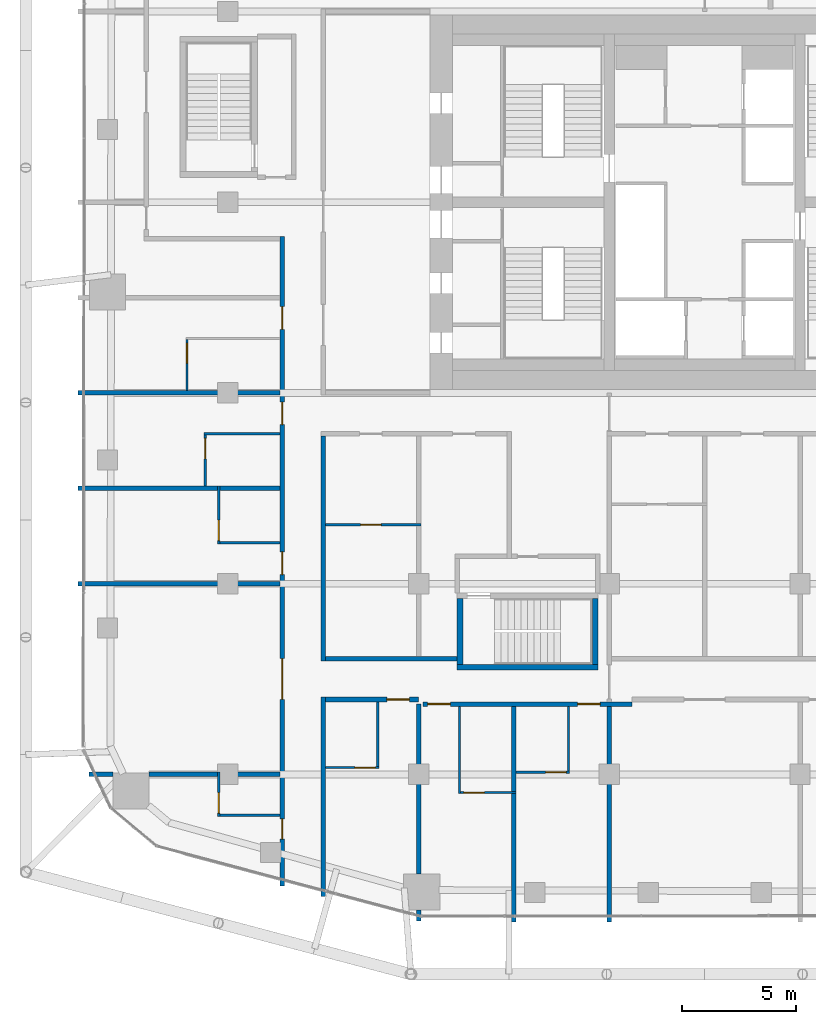
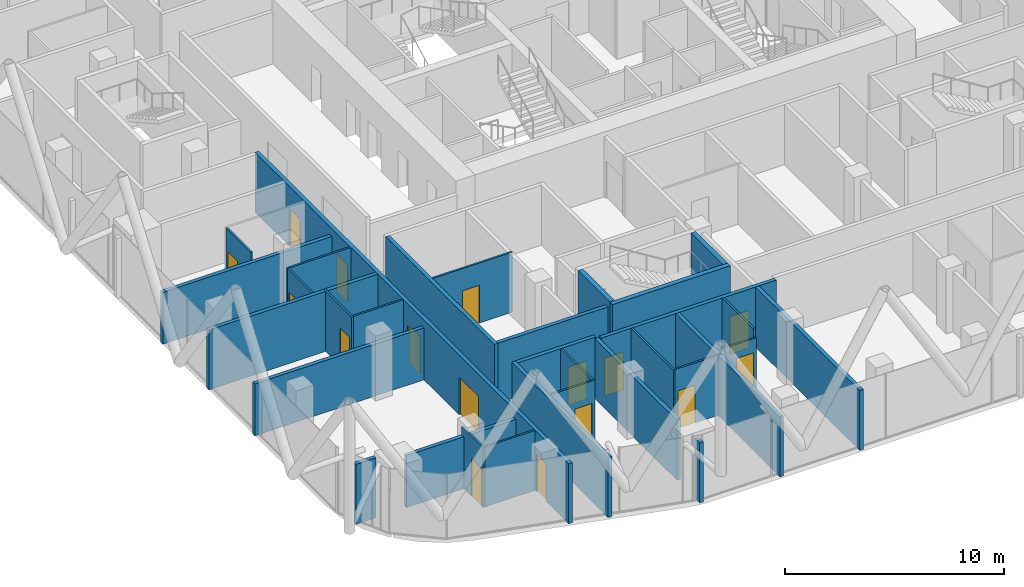
# One storey, part 27 of 36: 32 walls, 16 doors, 16 openings.
"""IFC4 building model written with IfcOpenShell, lengths in metres."""

from ifc_helpers import new_model, si_unit, direction, frame, frame_2d, origin, place, context, subcontext, project, spatial, rectangle, extrude, material, layer, layer_set, type_object, element, fill, save


model = new_model("IFC4")

# Units and contexts
model_context = context("Model", 3, precision=1e-05, world=origin(), true_north=direction((0.0, 1.0)))
body_context = subcontext(model_context, "Body", "Model", "MODEL_VIEW")
ifc_project = project(units=[si_unit("LENGTHUNIT", "METRE"), si_unit("AREAUNIT", "SQUARE_METRE"), si_unit("VOLUMEUNIT", "CUBIC_METRE"), si_unit("PLANEANGLEUNIT", "RADIAN"), si_unit("MASSUNIT", "GRAM", prefix="KILO")], contexts=[model_context])

# Site, building, storey
site_placement = place(None, origin())
site = spatial("IfcSite", under=ifc_project, at=site_placement, CompositionType="ELEMENT")
building_placement = place(site_placement, origin())
building = spatial("IfcBuilding", under=site, at=building_placement, Name="Marenta Gate Hotel Tower", CompositionType="ELEMENT")
storey_placement = place(building_placement, frame((0.0, 0.0, 115.699951171875)))
storey = spatial("IfcBuildingStorey", under=building, at=storey_placement, Name="L25", CompositionType="ELEMENT", Elevation=115.699951171875)

# Walls
ifc_material_1 = material(Name="Concrete blockwork", Category="masonry")
ifc_layer_1 = layer(ifc_material_1, 0.199951171875)
ifc_layer_set_1 = layer_set([ifc_layer_1], Name="Concrete blockwork")
wall_type_1 = type_object("IfcWallType", Name="Compartment wall 200 REI 180", PredefinedType="PARTITIONING", material=ifc_layer_set_1)
wall_1_placement = place(storey_placement, frame((-4.199951171875, -23.300048828125, 0.0), z_axis=(0.0, 0.0, 1.0), x_axis=(0.0, 1.0, 0.0)))
element("IfcWall", 1, at=wall_1_placement, inside=storey, type_object=wall_type_1, Name="L25-PTN-W070", PredefinedType="PARTITIONING", context=body_context, shape_type="SweptSolid", body=[
    extrude(rectangle(XDim=9.5, YDim=0.199951171875, at=frame_2d((4.75, 0.0))), origin(), (0.0, 0.0, 1.0), 3.340087890625),
])
ifc_material_2 = material(Name="Concrete C40", Category="concrete")
ifc_layer_2 = layer(ifc_material_2, 0.25)
ifc_layer_set_2 = layer_set([ifc_layer_2], Name="Concrete C40")
wall_type_2 = type_object("IfcWallType", Name="Remote stair enclosure wall 250 REI 180", PredefinedType="SHEAR", material=ifc_layer_set_2)
wall_2_placement = place(storey_placement, frame((-10.89990234375, -12.074951171875, 0.10009765625), z_axis=(0.0, 0.0, 1.0), x_axis=(1.0, 0.0, 0.0)))
element("IfcWall", 2, at=wall_2_placement, inside=storey, type_object=wall_type_2, Name="L25-RS-Z2-1-W1", PredefinedType="SHEAR", context=body_context, shape_type="SweptSolid", body=[
    extrude(rectangle(XDim=6.199951171875, YDim=0.25, at=frame_2d((3.10009765625, 0.0))), origin(), (0.0, 0.0, 1.0), 3.599853515625),
])
for number, where, z_axis, x_axis, name in (
    (3, (-10.77490234375, -11.949951171875, 0.10009765625), (0.0, 0.0, 1.0), (0.0, 1.0, 0.0), "L25-RS-Z2-1-W3"),
    (4, (-4.824951171875, -11.949951171875, 0.10009765625), (0.0, 0.0, 1.0), (0.0, 1.0, 0.0), "L25-RS-Z2-1-W4"),
):
    element("IfcWall", number, at=place(storey_placement, frame(where, z_axis=z_axis, x_axis=x_axis)), inside=storey, type_object=wall_type_2, Name=name, PredefinedType="SHEAR", context=body_context, shape_type="SweptSolid", body=[
        extrude(rectangle(XDim=2.89990234375, YDim=0.25, at=frame_2d((1.449951171875, 0.0))), origin(), (0.0, 0.0, 1.0), 3.599853515625),
    ])

# Wall, openings, doors
ifc_material_3 = material(Name="Gypsum board on steel stud", Category="steel")
ifc_layer_3 = layer(ifc_material_3, 0.199951171875)
ifc_layer_set_3 = layer_set([ifc_layer_3], Name="Gypsum board on steel stud")
wall_type_3 = type_object("IfcWallType", Name="Room corridor wall 200 EI 60", PredefinedType="PARTITIONING", material=ifc_layer_set_3)
wall_3_placement = place(storey_placement, frame((-12.39990234375, -13.699951171875, 0.0), z_axis=(0.0, 0.0, 1.0), x_axis=(1.0, 0.0, 0.0)))
wall_3 = element("IfcWall", 5, at=wall_3_placement, inside=storey, type_object=wall_type_3, Name="L25-PTN-W025", PredefinedType="PARTITIONING", context=body_context, shape_type="SweptSolid", body=[
    extrude(rectangle(XDim=9.199951171875, YDim=0.199951171875, at=frame_2d((4.60009765625, 0.0))), origin(), (0.0, 0.0, 1.0), 3.340087890625),
])
opening_1_placement = place(wall_3_placement, frame((0.199951171875, 0.0, 0.0)))
opening_1 = element("IfcOpeningElement", 6, at=opening_1_placement, cuts=wall_3, Name="Opening G09-43", PredefinedType="OPENING", context=body_context, shape_type="SweptSolid", body=[
    extrude(rectangle(XDim=1.0, YDim=2.10009765625, at=frame_2d((0.5, 1.050048828125))), frame((0.0, 0.10009765625, 0.0), z_axis=(0.0, -1.0, 0.0), x_axis=(1.0, 0.0, 0.0)), (0.0, 0.0, 1.0), 0.199951171875),
])
opening_2_placement = place(wall_3_placement, frame((6.800048828125, 0.0, 0.0)))
opening_2 = element("IfcOpeningElement", 7, at=opening_2_placement, cuts=wall_3, Name="Opening G09-45", PredefinedType="OPENING", context=body_context, shape_type="SweptSolid", body=[
    extrude(rectangle(XDim=1.0, YDim=2.10009765625, at=frame_2d((0.5, 1.050048828125))), frame((0.0, 0.10009765625, 0.0), z_axis=(0.0, -1.0, 0.0), x_axis=(1.0, 0.0, 0.0)), (0.0, 0.0, 1.0), 0.199951171875),
])
ifc_material_4 = material(Name="Timber door leaf", Category="wood")
door_type_1 = type_object("IfcDoorType", Name="Guest room door 1000x2100 EI 30", OperationType="NOTDEFINED", PredefinedType="DOOR", material=ifc_material_4)
door_1_placement = place(opening_1_placement, origin())
door_1 = element("IfcDoor", 8, at=door_1_placement, inside=storey, type_object=door_type_1, Name="L25-PD-D043", OperationType="SINGLE_SWING_RIGHT", OverallHeight=2.10009765625, OverallWidth=1.0, PredefinedType="DOOR", context=body_context, shape_type="SweptSolid", body=[
    extrude(rectangle(XDim=1.0, YDim=2.10009765625, at=frame_2d((0.5, 1.050048828125))), frame((0.0, 0.02490234375, 0.0), z_axis=(0.0, -1.0, 0.0), x_axis=(1.0, 0.0, 0.0)), (0.0, 0.0, 1.0), 0.050048828125),
])
fill(opening_1, door_1)
door_2_placement = place(opening_2_placement, origin())
door_2 = element("IfcDoor", 9, at=door_2_placement, inside=storey, type_object=door_type_1, Name="L25-PD-D045", OperationType="SINGLE_SWING_LEFT", OverallHeight=2.10009765625, OverallWidth=1.0, PredefinedType="DOOR", context=body_context, shape_type="SweptSolid", body=[
    extrude(rectangle(XDim=1.0, YDim=2.10009765625, at=frame_2d((0.5, 1.050048828125))), frame((0.0, 0.02490234375, 0.0), z_axis=(0.0, -1.0, 0.0), x_axis=(1.0, 0.0, 0.0)), (0.0, 0.0, 1.0), 0.050048828125),
])
fill(opening_2, door_2)

# Wall, opening, door
wall_4_placement = place(storey_placement, frame((-16.699951171875, -13.5, 0.0), z_axis=(0.0, 0.0, 1.0), x_axis=(1.0, 0.0, 0.0)))
wall_4 = element("IfcWall", 10, at=wall_4_placement, inside=storey, type_object=wall_type_3, Name="L25-PTN-W026", PredefinedType="PARTITIONING", context=body_context, shape_type="SweptSolid", body=[
    extrude(rectangle(XDim=4.099853515625, YDim=0.199951171875, at=frame_2d((2.0498046875, 0.0))), origin(), (0.0, 0.0, 1.0), 3.340087890625),
])
opening_3_placement = place(wall_4_placement, frame((2.699951171875, 0.0, 0.0)))
opening_3 = element("IfcOpeningElement", 11, at=opening_3_placement, cuts=wall_4, Name="Opening G09-41", PredefinedType="OPENING", context=body_context, shape_type="SweptSolid", body=[
    extrude(rectangle(XDim=1.0, YDim=2.10009765625, at=frame_2d((0.5, 1.050048828125))), frame((0.0, 0.10009765625, 0.0), z_axis=(0.0, -1.0, 0.0), x_axis=(1.0, 0.0, 0.0)), (0.0, 0.0, 1.0), 0.199951171875),
])
door_3_placement = place(opening_3_placement, origin())
door_3 = element("IfcDoor", 12, at=door_3_placement, inside=storey, type_object=door_type_1, Name="L25-PD-D041", OperationType="SINGLE_SWING_LEFT", OverallHeight=2.10009765625, OverallWidth=1.0, PredefinedType="DOOR", context=body_context, shape_type="SweptSolid", body=[
    extrude(rectangle(XDim=1.0, YDim=2.10009765625, at=frame_2d((0.5, 1.050048828125))), frame((0.0, 0.02490234375, 0.0), z_axis=(0.0, -1.0, 0.0), x_axis=(1.0, 0.0, 0.0)), (0.0, 0.0, 1.0), 0.050048828125),
])
fill(opening_3, door_3)

# Walls
wall_5_placement = place(storey_placement, frame((-16.699951171875, -11.699951171875, 0.0), z_axis=(0.0, 0.0, 1.0), x_axis=(1.0, 0.0, 0.0)))
element("IfcWall", 13, at=wall_5_placement, inside=storey, type_object=wall_type_3, Name="L25-PTN-W033", PredefinedType="PARTITIONING", context=body_context, shape_type="SweptSolid", body=[
    extrude(rectangle(XDim=5.800048828125, YDim=0.199951171875, at=frame_2d((2.89990234375, 0.0))), origin(), (0.0, 0.0, 1.0), 3.340087890625),
])
wall_6_placement = place(storey_placement, frame((-16.800048828125, -22.18603515625, 0.0), z_axis=(0.0, 0.0, 1.0), x_axis=(0.0, 1.0, 0.0)))
element("IfcWall", 14, at=wall_6_placement, inside=storey, type_object=wall_type_3, Name="L25-PTN-W097", PredefinedType="PARTITIONING", context=body_context, shape_type="SweptSolid", body=[
    extrude(rectangle(XDim=8.7861328125, YDim=0.199951171875, at=frame_2d((4.39306640625, 0.0))), origin(), (0.0, 0.0, 1.0), 3.340087890625),
])
wall_7_placement = place(storey_placement, frame((-16.800048828125, -11.800048828125, 0.0), z_axis=(0.0, 0.0, 1.0), x_axis=(0.0, 1.0, 0.0)))
element("IfcWall", 15, at=wall_7_placement, inside=storey, type_object=wall_type_3, Name="L25-PTN-W098", PredefinedType="PARTITIONING", context=body_context, shape_type="SweptSolid", body=[
    extrude(rectangle(XDim=9.900146484375, YDim=0.199951171875, at=frame_2d((4.9501953125, 0.0))), origin(), (0.0, 0.0, 1.0), 3.340087890625),
])

# Wall, openings, doors
wall_8_placement = place(storey_placement, frame((-18.60009765625, -21.7080078125, 0.0), z_axis=(0.0, 0.0, 1.0), x_axis=(0.0, 1.0, 0.0)))
wall_8 = element("IfcWall", 16, at=wall_8_placement, inside=storey, type_object=wall_type_3, Name="L25-PTN-W104", PredefinedType="PARTITIONING", context=body_context, shape_type="SweptSolid", body=[
    extrude(rectangle(XDim=28.60791015625, YDim=0.199951171875, at=frame_2d((14.303955078125, 0.0))), origin(), (0.0, 0.0, 1.0), 3.340087890625),
])
opening_4_placement = place(wall_8_placement, frame((2.053955078125, 0.0, 0.0)))
opening_4 = element("IfcOpeningElement", 17, at=opening_4_placement, cuts=wall_8, Name="Opening G09-54", PredefinedType="OPENING", context=body_context, shape_type="SweptSolid", body=[
    extrude(rectangle(XDim=0.89990234375, YDim=2.10009765625, at=frame_2d((0.449951171875, 1.050048828125))), frame((0.0, 0.10009765625, 0.0), z_axis=(0.0, -1.0, 0.0), x_axis=(1.0, 0.0, 0.0)), (0.0, 0.0, 1.0), 0.199951171875),
])
opening_5_placement = place(wall_8_placement, frame((8.2080078125, 0.0, 0.0)))
opening_5 = element("IfcOpeningElement", 18, at=opening_5_placement, cuts=wall_8, Name="Opening G09-56", PredefinedType="OPENING", context=body_context, shape_type="SweptSolid", body=[
    extrude(rectangle(XDim=1.800048828125, YDim=2.10009765625, at=frame_2d((0.89990234375, 1.050048828125))), frame((0.0, 0.10009765625, 0.0), z_axis=(0.0, -1.0, 0.0), x_axis=(1.0, 0.0, 0.0)), (0.0, 0.0, 1.0), 0.199951171875),
])
opening_6_placement = place(wall_8_placement, frame((13.7080078125, 0.0, 0.0)))
opening_6 = element("IfcOpeningElement", 19, at=opening_6_placement, cuts=wall_8, Name="Opening G09-57", PredefinedType="OPENING", context=body_context, shape_type="SweptSolid", body=[
    extrude(rectangle(XDim=1.0, YDim=2.10009765625, at=frame_2d((0.5, 1.050048828125))), frame((0.0, 0.10009765625, 0.0), z_axis=(0.0, -1.0, 0.0), x_axis=(1.0, 0.0, 0.0)), (0.0, 0.0, 1.0), 0.199951171875),
])
opening_7_placement = place(wall_8_placement, frame((20.30810546875, 0.0, 0.0)))
opening_7 = element("IfcOpeningElement", 20, at=opening_7_placement, cuts=wall_8, Name="Opening G09-59", PredefinedType="OPENING", context=body_context, shape_type="SweptSolid", body=[
    extrude(rectangle(XDim=1.0, YDim=2.10009765625, at=frame_2d((0.5, 1.050048828125))), frame((0.0, 0.10009765625, 0.0), z_axis=(0.0, -1.0, 0.0), x_axis=(1.0, 0.0, 0.0)), (0.0, 0.0, 1.0), 0.199951171875),
])
opening_8_placement = place(wall_8_placement, frame((24.508056640625, 0.0, 0.0)))
opening_8 = element("IfcOpeningElement", 21, at=opening_8_placement, cuts=wall_8, Name="Opening G09-61", PredefinedType="OPENING", context=body_context, shape_type="SweptSolid", body=[
    extrude(rectangle(XDim=1.0, YDim=2.10009765625, at=frame_2d((0.5, 1.050048828125))), frame((0.0, 0.10009765625, 0.0), z_axis=(0.0, -1.0, 0.0), x_axis=(1.0, 0.0, 0.0)), (0.0, 0.0, 1.0), 0.199951171875),
])
door_4_placement = place(opening_6_placement, origin())
door_4 = element("IfcDoor", 22, at=door_4_placement, inside=storey, type_object=door_type_1, Name="L25-PD-D057", OperationType="SINGLE_SWING_RIGHT", OverallHeight=2.10009765625, OverallWidth=1.0, PredefinedType="DOOR", context=body_context, shape_type="SweptSolid", body=[
    extrude(rectangle(XDim=1.0, YDim=2.10009765625, at=frame_2d((0.5, 1.050048828125))), frame((0.0, 0.02490234375, 0.0), z_axis=(0.0, -1.0, 0.0), x_axis=(1.0, 0.0, 0.0)), (0.0, 0.0, 1.0), 0.050048828125),
])
fill(opening_6, door_4)
door_5_placement = place(opening_7_placement, origin())
door_5 = element("IfcDoor", 23, at=door_5_placement, inside=storey, type_object=door_type_1, Name="L25-PD-D059", OperationType="SINGLE_SWING_RIGHT", OverallHeight=2.10009765625, OverallWidth=1.0, PredefinedType="DOOR", context=body_context, shape_type="SweptSolid", body=[
    extrude(rectangle(XDim=1.0, YDim=2.10009765625, at=frame_2d((0.5, 1.050048828125))), frame((0.0, 0.02490234375, 0.0), z_axis=(0.0, -1.0, 0.0), x_axis=(1.0, 0.0, 0.0)), (0.0, 0.0, 1.0), 0.050048828125),
])
fill(opening_7, door_5)
door_6_placement = place(opening_8_placement, origin())
door_6 = element("IfcDoor", 24, at=door_6_placement, inside=storey, type_object=door_type_1, Name="L25-PD-D061", OperationType="SINGLE_SWING_RIGHT", OverallHeight=2.10009765625, OverallWidth=1.0, PredefinedType="DOOR", context=body_context, shape_type="SweptSolid", body=[
    extrude(rectangle(XDim=1.0, YDim=2.10009765625, at=frame_2d((0.5, 1.050048828125))), frame((0.0, 0.02490234375, 0.0), z_axis=(0.0, -1.0, 0.0), x_axis=(1.0, 0.0, 0.0)), (0.0, 0.0, 1.0), 0.050048828125),
])
fill(opening_8, door_6)
ifc_material_5 = material(Name="Timber door leaf", Category="wood")
door_type_2 = type_object("IfcDoorType", Name="Guest room door 900x2100 EI 30", OperationType="NOTDEFINED", PredefinedType="DOOR", material=ifc_material_5)
door_7_placement = place(opening_4_placement, origin())
door_7 = element("IfcDoor", 25, at=door_7_placement, inside=storey, type_object=door_type_2, Name="L25-PD-D054", OperationType="SINGLE_SWING_LEFT", OverallHeight=2.10009765625, OverallWidth=0.89990234375, PredefinedType="DOOR", context=body_context, shape_type="SweptSolid", body=[
    extrude(rectangle(XDim=0.89990234375, YDim=2.10009765625, at=frame_2d((0.449951171875, 1.050048828125))), frame((0.0, 0.02490234375, 0.0), z_axis=(0.0, -1.0, 0.0), x_axis=(1.0, 0.0, 0.0)), (0.0, 0.0, 1.0), 0.050048828125),
])
fill(opening_4, door_7)
ifc_material_6 = material(Name="Timber door leaf", Category="wood")
door_type_3 = type_object("IfcDoorType", Name="Room amenity door 1800x2100 EI 30", OperationType="DOUBLE_DOOR_SINGLE_SWING", PredefinedType="DOOR", material=ifc_material_6)
door_8_placement = place(opening_5_placement, origin())
door_8 = element("IfcDoor", 26, at=door_8_placement, inside=storey, type_object=door_type_3, Name="L25-PD-D056", OperationType="DOUBLE_DOOR_SINGLE_SWING", OverallHeight=2.10009765625, OverallWidth=1.800048828125, PredefinedType="DOOR", context=body_context, shape_type="SweptSolid", body=[
    extrude(rectangle(XDim=1.800048828125, YDim=2.10009765625, at=frame_2d((0.89990234375, 1.050048828125))), frame((0.0, 0.02490234375, 0.0), z_axis=(0.0, -1.0, 0.0), x_axis=(1.0, 0.0, 0.0)), (0.0, 0.0, 1.0), 0.050048828125),
])
fill(opening_5, door_8)

# Wall
ifc_material_7 = material(Name="Gypsum board on steel stud", Category="steel")
ifc_layer_4 = layer(ifc_material_7, 0.10009765625)
ifc_layer_set_4 = layer_set([ifc_layer_4], Name="Gypsum board on steel stud")
wall_type_4 = type_object("IfcWallType", Name="Room partition 100", PredefinedType="PARTITIONING", material=ifc_layer_set_4)
wall_9_placement = place(storey_placement, frame((-21.35009765625, -18.60009765625, 0.0), z_axis=(0.0, 0.0, 1.0), x_axis=(1.0, 0.0, 0.0)))
element("IfcWall", 27, at=wall_9_placement, inside=storey, type_object=wall_type_4, Name="L25-PTN-W011", PredefinedType="PARTITIONING", context=body_context, shape_type="SweptSolid", body=[
    extrude(rectangle(XDim=2.650146484375, YDim=0.10009765625, at=frame_2d((1.3251953125, 0.0))), origin(), (0.0, 0.0, 1.0), 3.340087890625),
])

# Wall, opening, door
wall_10_placement = place(storey_placement, frame((-10.75, -17.60009765625, 0.0), z_axis=(0.0, 0.0, 1.0), x_axis=(1.0, 0.0, 0.0)))
wall_10 = element("IfcWall", 28, at=wall_10_placement, inside=storey, type_object=wall_type_4, Name="L25-PTN-W012", PredefinedType="PARTITIONING", context=body_context, shape_type="SweptSolid", body=[
    extrude(rectangle(XDim=2.449951171875, YDim=0.10009765625, at=frame_2d((1.22509765625, 0.0))), origin(), (0.0, 0.0, 1.0), 3.340087890625),
])
opening_9_placement = place(wall_10_placement, frame((0.14990234375, 0.0, 0.0)))
opening_9 = element("IfcOpeningElement", 29, at=opening_9_placement, cuts=wall_10, Name="Opening G09-44", PredefinedType="OPENING", context=body_context, shape_type="SweptSolid", body=[
    extrude(rectangle(XDim=0.89990234375, YDim=2.10009765625, at=frame_2d((0.449951171875, 1.050048828125))), frame((0.0, 0.050048828125, 0.0), z_axis=(0.0, -1.0, 0.0), x_axis=(1.0, 0.0, 0.0)), (0.0, 0.0, 1.0), 0.10009765625),
])
ifc_material_8 = material(Name="Timber door leaf", Category="wood")
door_type_4 = type_object("IfcDoorType", Name="Guest bathroom door 900x2100", OperationType="NOTDEFINED", PredefinedType="DOOR", material=ifc_material_8)
door_9_placement = place(opening_9_placement, origin())
door_9 = element("IfcDoor", 30, at=door_9_placement, inside=storey, type_object=door_type_4, Name="L25-PD-D044", OperationType="SINGLE_SWING_LEFT", OverallHeight=2.10009765625, OverallWidth=0.89990234375, PredefinedType="DOOR", context=body_context, shape_type="SweptSolid", body=[
    extrude(rectangle(XDim=0.89990234375, YDim=2.10009765625, at=frame_2d((0.449951171875, 1.050048828125))), frame((0.0, 0.02490234375, 0.0), z_axis=(0.0, -1.0, 0.0), x_axis=(1.0, 0.0, 0.0)), (0.0, 0.0, 1.0), 0.050048828125),
])
fill(opening_9, door_9)

wall_11_placement = place(storey_placement, frame((-8.300048828125, -16.699951171875, 0.0), z_axis=(0.0, 0.0, 1.0), x_axis=(1.0, 0.0, 0.0)))
wall_11 = element("IfcWall", 31, at=wall_11_placement, inside=storey, type_object=wall_type_4, Name="L25-PTN-W019", PredefinedType="PARTITIONING", context=body_context, shape_type="SweptSolid", body=[
    extrude(rectangle(XDim=2.35009765625, YDim=0.10009765625, at=frame_2d((1.175048828125, 0.0))), origin(), (0.0, 0.0, 1.0), 2.89013671875),
])
opening_10_placement = place(wall_11_placement, frame((1.300048828125, 0.0, 0.0)))
opening_10 = element("IfcOpeningElement", 32, at=opening_10_placement, cuts=wall_11, Name="Opening G09-46", PredefinedType="OPENING", context=body_context, shape_type="SweptSolid", body=[
    extrude(rectangle(XDim=0.89990234375, YDim=2.10009765625, at=frame_2d((0.449951171875, 1.050048828125))), frame((0.0, 0.050048828125, 0.0), z_axis=(0.0, -1.0, 0.0), x_axis=(1.0, 0.0, 0.0)), (0.0, 0.0, 1.0), 0.10009765625),
])
door_10_placement = place(opening_10_placement, origin())
door_10 = element("IfcDoor", 33, at=door_10_placement, inside=storey, type_object=door_type_4, Name="L25-PD-D046", OperationType="SINGLE_SWING_RIGHT", OverallHeight=2.10009765625, OverallWidth=0.89990234375, PredefinedType="DOOR", context=body_context, shape_type="SweptSolid", body=[
    extrude(rectangle(XDim=0.89990234375, YDim=2.10009765625, at=frame_2d((0.449951171875, 1.050048828125))), frame((0.0, 0.02490234375, 0.0), z_axis=(0.0, -1.0, 0.0), x_axis=(1.0, 0.0, 0.0)), (0.0, 0.0, 1.0), 0.050048828125),
])
fill(opening_10, door_10)

wall_12_placement = place(storey_placement, frame((-16.699951171875, -16.5, 0.0), z_axis=(0.0, 0.0, 1.0), x_axis=(1.0, 0.0, 0.0)))
wall_12 = element("IfcWall", 34, at=wall_12_placement, inside=storey, type_object=wall_type_4, Name="L25-PTN-W020", PredefinedType="PARTITIONING", context=body_context, shape_type="SweptSolid", body=[
    extrude(rectangle(XDim=2.349853515625, YDim=0.10009765625, at=frame_2d((1.1748046875, 0.0))), origin(), (0.0, 0.0, 1.0), 3.340087890625),
])
opening_11_placement = place(wall_12_placement, frame((1.300048828125, 0.0, 0.0)))
opening_11 = element("IfcOpeningElement", 35, at=opening_11_placement, cuts=wall_12, Name="Opening G09-42", PredefinedType="OPENING", context=body_context, shape_type="SweptSolid", body=[
    extrude(rectangle(XDim=0.89990234375, YDim=2.10009765625, at=frame_2d((0.449951171875, 1.050048828125))), frame((0.0, 0.050048828125, 0.0), z_axis=(0.0, -1.0, 0.0), x_axis=(1.0, 0.0, 0.0)), (0.0, 0.0, 1.0), 0.10009765625),
])
door_11_placement = place(opening_11_placement, origin())
door_11 = element("IfcDoor", 36, at=door_11_placement, inside=storey, type_object=door_type_4, Name="L25-PD-D042", OperationType="SINGLE_SWING_RIGHT", OverallHeight=2.10009765625, OverallWidth=0.89990234375, PredefinedType="DOOR", context=body_context, shape_type="SweptSolid", body=[
    extrude(rectangle(XDim=0.89990234375, YDim=2.10009765625, at=frame_2d((0.449951171875, 1.050048828125))), frame((0.0, 0.02490234375, 0.0), z_axis=(0.0, -1.0, 0.0), x_axis=(1.0, 0.0, 0.0)), (0.0, 0.0, 1.0), 0.050048828125),
])
fill(opening_11, door_11)

# Wall
wall_13_placement = place(storey_placement, frame((-21.35009765625, -6.60009765625, 0.0), z_axis=(0.0, 0.0, 1.0), x_axis=(1.0, 0.0, 0.0)))
element("IfcWall", 37, at=wall_13_placement, inside=storey, type_object=wall_type_4, Name="L25-PTN-W048", PredefinedType="PARTITIONING", context=body_context, shape_type="SweptSolid", body=[
    extrude(rectangle(XDim=2.650146484375, YDim=0.10009765625, at=frame_2d((1.3251953125, 0.0))), origin(), (0.0, 0.0, 1.0), 3.340087890625),
])

# Wall, opening, door
wall_14_placement = place(storey_placement, frame((-16.699951171875, -5.800048828125, 0.0), z_axis=(0.0, 0.0, 1.0), x_axis=(1.0, 0.0, 0.0)))
wall_14 = element("IfcWall", 38, at=wall_14_placement, inside=storey, type_object=wall_type_4, Name="L25-PTN-W050", PredefinedType="PARTITIONING", context=body_context, shape_type="SweptSolid", body=[
    extrude(rectangle(XDim=4.199951171875, YDim=0.10009765625, at=frame_2d((2.10009765625, 0.0))), origin(), (0.0, 0.0, 1.0), 3.340087890625),
])
opening_12_placement = place(wall_14_placement, frame((1.550048828125, 0.0, 0.0)))
opening_12 = element("IfcOpeningElement", 39, at=opening_12_placement, cuts=wall_14, Name="Opening G09-02", PredefinedType="OPENING", context=body_context, shape_type="SweptSolid", body=[
    extrude(rectangle(XDim=0.89990234375, YDim=2.10009765625, at=frame_2d((0.449951171875, 1.050048828125))), frame((0.0, 0.050048828125, 0.0), z_axis=(0.0, -1.0, 0.0), x_axis=(1.0, 0.0, 0.0)), (0.0, 0.0, 1.0), 0.10009765625),
])
ifc_material_9 = material(Name="Timber door leaf", Category="wood")
door_type_5 = type_object("IfcDoorType", Name="Room inner door 900x2100", OperationType="NOTDEFINED", PredefinedType="DOOR", material=ifc_material_9)
door_12_placement = place(opening_12_placement, origin())
door_12 = element("IfcDoor", 40, at=door_12_placement, inside=storey, type_object=door_type_5, Name="L25-PD-D002", OperationType="SINGLE_SWING_RIGHT", OverallHeight=2.10009765625, OverallWidth=0.89990234375, PredefinedType="DOOR", context=body_context, shape_type="SweptSolid", body=[
    extrude(rectangle(XDim=0.89990234375, YDim=2.10009765625, at=frame_2d((0.449951171875, 1.050048828125))), frame((0.0, 0.02490234375, 0.0), z_axis=(0.0, -1.0, 0.0), x_axis=(1.0, 0.0, 0.0)), (0.0, 0.0, 1.0), 0.050048828125),
])
fill(opening_12, door_12)

# Walls
wall_15_placement = place(storey_placement, frame((-22.050048828125, -1.800048828125, 0.0), z_axis=(0.0, 0.0, 1.0), x_axis=(1.0, 0.0, 0.0)))
element("IfcWall", 41, at=wall_15_placement, inside=storey, type_object=wall_type_4, Name="L25-PTN-W058", PredefinedType="PARTITIONING", context=body_context, shape_type="SweptSolid", body=[
    extrude(rectangle(XDim=3.35009765625, YDim=0.10009765625, at=frame_2d((1.675048828125, 0.0))), origin(), (0.0, 0.0, 1.0), 3.340087890625),
])
wall_16_placement = place(storey_placement, frame((-6.0, -16.64990234375, 0.0), z_axis=(0.0, 0.0, 1.0), x_axis=(0.0, 1.0, 0.0)))
element("IfcWall", 42, at=wall_16_placement, inside=storey, type_object=wall_type_4, Name="L25-PTN-W076", PredefinedType="PARTITIONING", context=body_context, shape_type="SweptSolid", body=[
    extrude(rectangle(XDim=2.849853515625, YDim=0.10009765625, at=frame_2d((1.4248046875, 0.0))), origin(), (0.0, 0.0, 1.0), 3.340087890625),
])
wall_17_placement = place(storey_placement, frame((-10.800048828125, -17.64990234375, 0.0), z_axis=(0.0, 0.0, 1.0), x_axis=(0.0, 1.0, 0.0)))
element("IfcWall", 43, at=wall_17_placement, inside=storey, type_object=wall_type_4, Name="L25-PTN-W087", PredefinedType="PARTITIONING", context=body_context, shape_type="SweptSolid", body=[
    extrude(rectangle(XDim=3.849853515625, YDim=0.10009765625, at=frame_2d((1.9248046875, 0.0))), origin(), (0.0, 0.0, 1.0), 3.340087890625),
])
wall_18_placement = place(storey_placement, frame((-14.39990234375, -16.449951171875, 0.0), z_axis=(0.0, 0.0, 1.0), x_axis=(0.0, 1.0, 0.0)))
element("IfcWall", 44, at=wall_18_placement, inside=storey, type_object=wall_type_4, Name="L25-PTN-W094", PredefinedType="PARTITIONING", context=body_context, shape_type="SweptSolid", body=[
    extrude(rectangle(XDim=2.849853515625, YDim=0.10009765625, at=frame_2d((1.4248046875, 0.0))), origin(), (0.0, 0.0, 1.0), 3.340087890625),
])

# Wall, opening, door
wall_19_placement = place(storey_placement, frame((-21.39990234375, -18.64990234375, 0.0), z_axis=(0.0, 0.0, 1.0), x_axis=(0.0, 1.0, 0.0)))
wall_19 = element("IfcWall", 45, at=wall_19_placement, inside=storey, type_object=wall_type_4, Name="L25-PTN-W110", PredefinedType="PARTITIONING", context=body_context, shape_type="SweptSolid", body=[
    extrude(rectangle(XDim=1.949951171875, YDim=0.10009765625, at=frame_2d((0.97509765625, 0.0))), origin(), (0.0, 0.0, 1.0), 3.340087890625),
])
opening_13_placement = place(wall_19_placement, frame((0.14990234375, 0.0, 0.0)))
opening_13 = element("IfcOpeningElement", 46, at=opening_13_placement, cuts=wall_19, Name="Opening G09-55", PredefinedType="OPENING", context=body_context, shape_type="SweptSolid", body=[
    extrude(rectangle(XDim=0.89990234375, YDim=2.10009765625, at=frame_2d((0.449951171875, 1.050048828125))), frame((0.0, 0.050048828125, 0.0), z_axis=(0.0, -1.0, 0.0), x_axis=(1.0, 0.0, 0.0)), (0.0, 0.0, 1.0), 0.10009765625),
])
door_13_placement = place(opening_13_placement, origin())
door_13 = element("IfcDoor", 47, at=door_13_placement, inside=storey, type_object=door_type_4, Name="L25-PD-D055", OperationType="SINGLE_SWING_RIGHT", OverallHeight=2.10009765625, OverallWidth=0.89990234375, PredefinedType="DOOR", context=body_context, shape_type="SweptSolid", body=[
    extrude(rectangle(XDim=0.89990234375, YDim=2.10009765625, at=frame_2d((0.449951171875, 1.050048828125))), frame((0.0, 0.02490234375, 0.0), z_axis=(0.0, -1.0, 0.0), x_axis=(1.0, 0.0, 0.0)), (0.0, 0.0, 1.0), 0.050048828125),
])
fill(opening_13, door_13)

wall_20_placement = place(storey_placement, frame((-21.39990234375, -6.64990234375, 0.0), z_axis=(0.0, 0.0, 1.0), x_axis=(0.0, 1.0, 0.0)))
wall_20 = element("IfcWall", 48, at=wall_20_placement, inside=storey, type_object=wall_type_4, Name="L25-PTN-W111", PredefinedType="PARTITIONING", context=body_context, shape_type="SweptSolid", body=[
    extrude(rectangle(XDim=2.5498046875, YDim=0.10009765625, at=frame_2d((1.27490234375, 0.0))), origin(), (0.0, 0.0, 1.0), 3.340087890625),
])
opening_14_placement = place(wall_20_placement, frame((0.14990234375, 0.0, 0.0)))
opening_14 = element("IfcOpeningElement", 49, at=opening_14_placement, cuts=wall_20, Name="Opening G09-58", PredefinedType="OPENING", context=body_context, shape_type="SweptSolid", body=[
    extrude(rectangle(XDim=0.89990234375, YDim=2.10009765625, at=frame_2d((0.449951171875, 1.050048828125))), frame((0.0, 0.050048828125, 0.0), z_axis=(0.0, -1.0, 0.0), x_axis=(1.0, 0.0, 0.0)), (0.0, 0.0, 1.0), 0.10009765625),
])
door_14_placement = place(opening_14_placement, origin())
door_14 = element("IfcDoor", 50, at=door_14_placement, inside=storey, type_object=door_type_4, Name="L25-PD-D058", OperationType="SINGLE_SWING_RIGHT", OverallHeight=2.10009765625, OverallWidth=0.89990234375, PredefinedType="DOOR", context=body_context, shape_type="SweptSolid", body=[
    extrude(rectangle(XDim=0.89990234375, YDim=2.10009765625, at=frame_2d((0.449951171875, 1.050048828125))), frame((0.0, 0.02490234375, 0.0), z_axis=(0.0, -1.0, 0.0), x_axis=(1.0, 0.0, 0.0)), (0.0, 0.0, 1.0), 0.050048828125),
])
fill(opening_14, door_14)

wall_21_placement = place(storey_placement, frame((-22.0, -4.10009765625, 0.0), z_axis=(0.0, 0.0, 1.0), x_axis=(0.0, 1.0, 0.0)))
wall_21 = element("IfcWall", 51, at=wall_21_placement, inside=storey, type_object=wall_type_4, Name="L25-PTN-W113", PredefinedType="PARTITIONING", context=body_context, shape_type="SweptSolid", body=[
    extrude(rectangle(XDim=2.25, YDim=0.10009765625, at=frame_2d((1.125, 0.0))), origin(), (0.0, 0.0, 1.0), 3.340087890625),
])
opening_15_placement = place(wall_21_placement, frame((1.199951171875, 0.0, 0.0)))
opening_15 = element("IfcOpeningElement", 52, at=opening_15_placement, cuts=wall_21, Name="Opening G09-60", PredefinedType="OPENING", context=body_context, shape_type="SweptSolid", body=[
    extrude(rectangle(XDim=0.89990234375, YDim=2.10009765625, at=frame_2d((0.449951171875, 1.050048828125))), frame((0.0, 0.050048828125, 0.0), z_axis=(0.0, -1.0, 0.0), x_axis=(1.0, 0.0, 0.0)), (0.0, 0.0, 1.0), 0.10009765625),
])
door_15_placement = place(opening_15_placement, origin())
door_15 = element("IfcDoor", 53, at=door_15_placement, inside=storey, type_object=door_type_4, Name="L25-PD-D060", OperationType="SINGLE_SWING_LEFT", OverallHeight=2.10009765625, OverallWidth=0.89990234375, PredefinedType="DOOR", context=body_context, shape_type="SweptSolid", body=[
    extrude(rectangle(XDim=0.89990234375, YDim=2.10009765625, at=frame_2d((0.449951171875, 1.050048828125))), frame((0.0, 0.02490234375, 0.0), z_axis=(0.0, -1.0, 0.0), x_axis=(1.0, 0.0, 0.0)), (0.0, 0.0, 1.0), 0.050048828125),
])
fill(opening_15, door_15)

wall_22_placement = place(storey_placement, frame((-22.800048828125, 0.10009765625, 0.0), z_axis=(0.0, 0.0, 1.0), x_axis=(0.0, 1.0, 0.0)))
wall_22 = element("IfcWall", 54, at=wall_22_placement, inside=storey, type_object=wall_type_4, Name="L25-PTN-W122", PredefinedType="PARTITIONING", context=body_context, shape_type="SweptSolid", body=[
    extrude(rectangle(XDim=2.25, YDim=0.10009765625, at=frame_2d((1.125, 0.0))), origin(), (0.0, 0.0, 1.0), 3.340087890625),
])
opening_16_placement = place(wall_22_placement, frame((1.199951171875, 0.0, 0.0)))
opening_16 = element("IfcOpeningElement", 55, at=opening_16_placement, cuts=wall_22, Name="Opening G09-62", PredefinedType="OPENING", context=body_context, shape_type="SweptSolid", body=[
    extrude(rectangle(XDim=0.89990234375, YDim=2.10009765625, at=frame_2d((0.449951171875, 1.050048828125))), frame((0.0, 0.050048828125, 0.0), z_axis=(0.0, -1.0, 0.0), x_axis=(1.0, 0.0, 0.0)), (0.0, 0.0, 1.0), 0.10009765625),
])
door_16_placement = place(opening_16_placement, origin())
door_16 = element("IfcDoor", 56, at=door_16_placement, inside=storey, type_object=door_type_4, Name="L25-PD-D062", OperationType="SINGLE_SWING_LEFT", OverallHeight=2.10009765625, OverallWidth=0.89990234375, PredefinedType="DOOR", context=body_context, shape_type="SweptSolid", body=[
    extrude(rectangle(XDim=0.89990234375, YDim=2.10009765625, at=frame_2d((0.449951171875, 1.050048828125))), frame((0.0, 0.02490234375, 0.0), z_axis=(0.0, -1.0, 0.0), x_axis=(1.0, 0.0, 0.0)), (0.0, 0.0, 1.0), 0.050048828125),
])
fill(opening_16, door_16)

# Walls
ifc_material_10 = material(Name="Gypsum board on steel stud", Category="steel")
ifc_layer_5 = layer(ifc_material_10, 0.199951171875)
ifc_layer_set_5 = layer_set([ifc_layer_5], Name="Gypsum board on steel stud")
wall_type_5 = type_object("IfcWallType", Name="Room party wall 200 EI 60", PredefinedType="PARTITIONING", material=ifc_layer_set_5)
wall_23_placement = place(storey_placement, frame((-27.112060546875, -16.800048828125, 0.0), z_axis=(0.0, 0.0, 1.0), x_axis=(1.0, 0.0, 0.0)))
element("IfcWall", 57, at=wall_23_placement, inside=storey, type_object=wall_type_5, Name="L25-PTN-W017", PredefinedType="PARTITIONING", context=body_context, shape_type="SweptSolid", body=[
    extrude(rectangle(XDim=1.049072265625, YDim=0.199951171875, at=frame_2d((0.5244140625, 0.0))), origin(), (0.0, 0.0, 1.0), 3.340087890625),
])
wall_24_placement = place(storey_placement, frame((-24.462890625, -16.800048828125, 0.0), z_axis=(0.0, 0.0, 1.0), x_axis=(1.0, 0.0, 0.0)))
element("IfcWall", 58, at=wall_24_placement, inside=storey, type_object=wall_type_5, Name="L25-PTN-W130", PredefinedType="PARTITIONING", context=body_context, shape_type="SweptSolid", body=[
    extrude(rectangle(XDim=5.762939453125, YDim=0.199951171875, at=frame_2d((2.88134765625, 0.0))), origin(), (0.0, 0.0, 1.0), 2.89013671875),
])
wall_25_placement = place(storey_placement, frame((-27.60009765625, -8.39990234375, 0.0), z_axis=(0.0, 0.0, 1.0), x_axis=(1.0, 0.0, 0.0)))
element("IfcWall", 59, at=wall_25_placement, inside=storey, type_object=wall_type_5, Name="L25-PTN-W041", PredefinedType="PARTITIONING", context=body_context, shape_type="SweptSolid", body=[
    extrude(rectangle(XDim=8.900146484375, YDim=0.199951171875, at=frame_2d((4.4501953125, 0.0))), origin(), (0.0, 0.0, 1.0), 2.89013671875),
])
wall_26_placement = place(storey_placement, frame((-27.60009765625, -4.199951171875, 0.0), z_axis=(0.0, 0.0, 1.0), x_axis=(1.0, 0.0, 0.0)))
element("IfcWall", 60, at=wall_26_placement, inside=storey, type_object=wall_type_5, Name="L25-PTN-W056", PredefinedType="PARTITIONING", context=body_context, shape_type="SweptSolid", body=[
    extrude(rectangle(XDim=8.900146484375, YDim=0.199951171875, at=frame_2d((4.4501953125, 0.0))), origin(), (0.0, 0.0, 1.0), 3.340087890625),
])
wall_27_placement = place(storey_placement, frame((-27.60009765625, 0.0, 0.0), z_axis=(0.0, 0.0, 1.0), x_axis=(1.0, 0.0, 0.0)))
element("IfcWall", 61, at=wall_27_placement, inside=storey, type_object=wall_type_5, Name="L25-PTN-W065", PredefinedType="PARTITIONING", context=body_context, shape_type="SweptSolid", body=[
    extrude(rectangle(XDim=8.900146484375, YDim=0.199951171875, at=frame_2d((4.4501953125, 0.0))), origin(), (0.0, 0.0, 1.0), 2.89013671875),
])
wall_28_placement = place(storey_placement, frame((-8.39990234375, -23.300048828125, 0.0), z_axis=(0.0, 0.0, 1.0), x_axis=(0.0, 1.0, 0.0)))
element("IfcWall", 62, at=wall_28_placement, inside=storey, type_object=wall_type_5, Name="L25-PTN-W080", PredefinedType="PARTITIONING", context=body_context, shape_type="SweptSolid", body=[
    extrude(rectangle(XDim=9.5, YDim=0.199951171875, at=frame_2d((4.75, 0.0))), origin(), (0.0, 0.0, 1.0), 3.340087890625),
])
wall_29_placement = place(storey_placement, frame((-12.60009765625, -23.26611328125, 0.0), z_axis=(0.0, 0.0, 1.0), x_axis=(0.0, 1.0, 0.0)))
element("IfcWall", 63, at=wall_29_placement, inside=storey, type_object=wall_type_5, Name="L25-PTN-W090", PredefinedType="PARTITIONING", context=body_context, shape_type="SweptSolid", body=[
    extrude(rectangle(XDim=0.4912109375, YDim=0.199951171875, at=frame_2d((0.24560546875, 0.0))), origin(), (0.0, 0.0, 1.0), 3.340087890625),
])
wall_30_placement = place(storey_placement, frame((-12.60009765625, -21.175048828125, 0.0), z_axis=(0.0, 0.0, 1.0), x_axis=(0.0, 1.0, 0.0)))
element("IfcWall", 64, at=wall_30_placement, inside=storey, type_object=wall_type_5, Name="L25-PTN-W135", PredefinedType="PARTITIONING", context=body_context, shape_type="SweptSolid", body=[
    extrude(rectangle(XDim=7.47509765625, YDim=0.199951171875, at=frame_2d((3.737548828125, 0.0))), origin(), (0.0, 0.0, 1.0), 3.340087890625),
])

save(model, "model.ifc")
